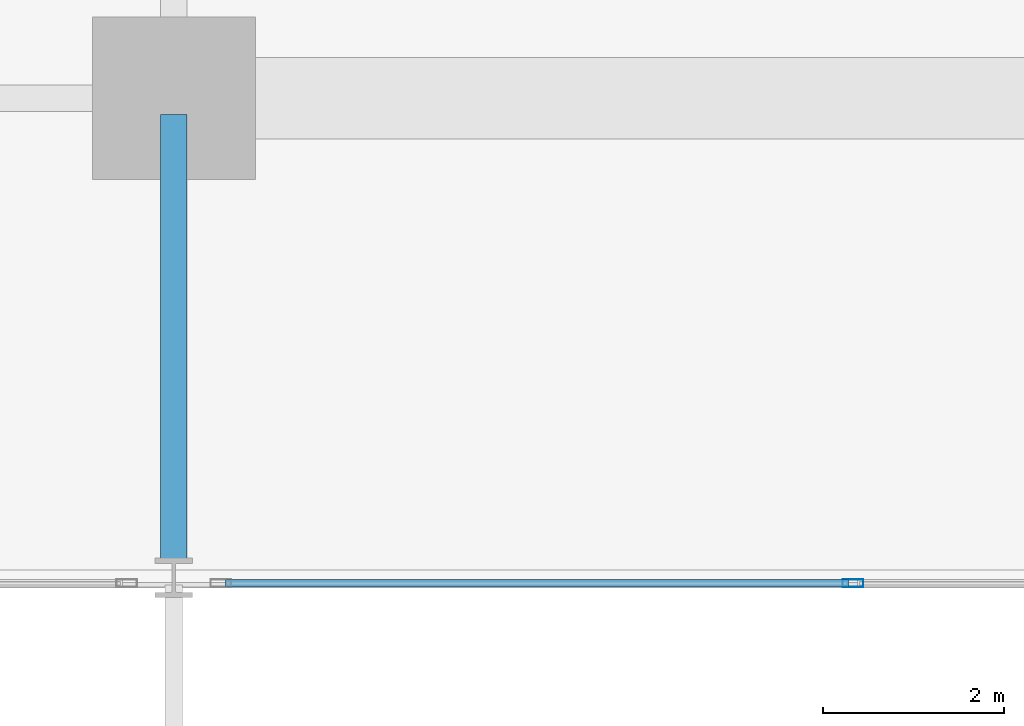
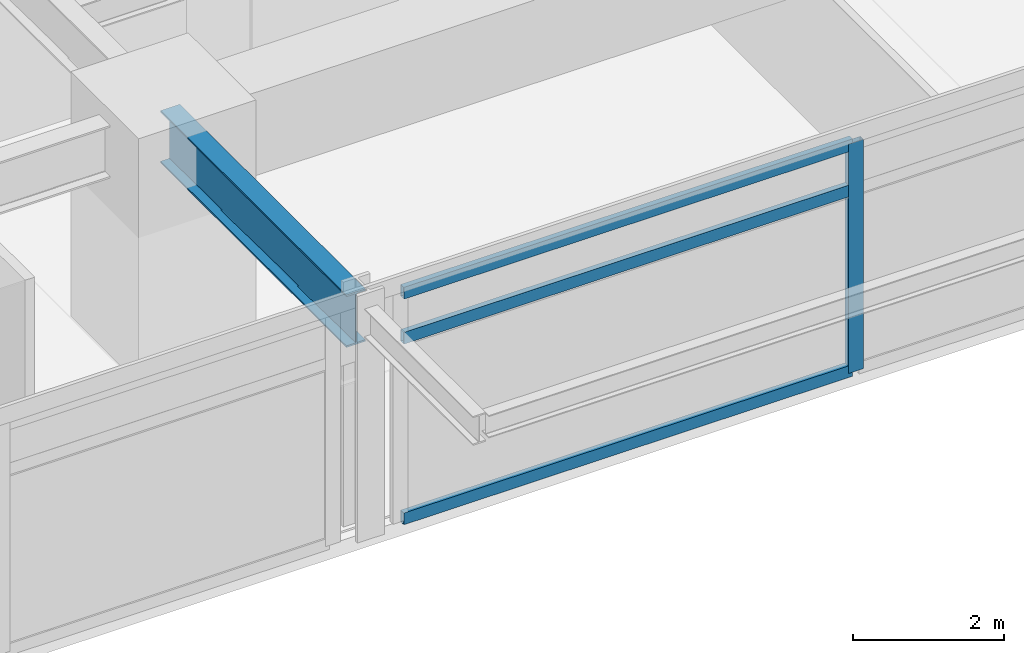
# One storey, part 4 of 21: 4 members, 1 beam, 1 element without a shape of its own.
"""IFC4 building model written with IfcOpenShell, lengths in metres."""

import ifcopenshell
import ifcopenshell.guid

model = None  # the IFC model being written
_history = None  # IfcOwnerHistory: only IFC2X3 demands one
_inside = {}  # id of a spatial element -> (the spatial element, [elements in it])
_under = {}  # id of a project, library or spatial element -> (it, [spatial elements below it])
_declared = {}  # id of a project -> (the project, [libraries it declares])
_typed = {}  # id of a type object -> (the type object, [elements of that type])
_made_of = {}  # id of a material, layer set ... -> (it, [elements and type objects made of it])


def new_model(schema):
    """Start an empty IFC model of exactly this schema.

    Asked for "IFC4X3", IfcOpenShell would pick the latest addendum, in which some entities
    have other attributes; the version numbers below select the first issue.
    IFC2X3 requires an IfcOwnerHistory on every rooted entity: one is made here for all.
    """
    global model, _history
    if schema == "IFC4X3":
        model = ifcopenshell.file(schema_version=(4, 3, 0, 0))
    else:
        model = ifcopenshell.file(schema=schema)
    _inside.clear()
    _under.clear()
    _declared.clear()
    _typed.clear()
    _made_of.clear()
    _history = None
    if model.schema == "IFC2X3":
        org = make("IfcOrganization", Name="unknown")
        user = make(
            "IfcPersonAndOrganization",
            ThePerson=make("IfcPerson", FamilyName="unknown"),
            TheOrganization=org,
        )
        app = make(
            "IfcApplication",
            ApplicationDeveloper=org,
            Version="unknown",
            ApplicationFullName="unknown",
            ApplicationIdentifier="unknown",
        )
        _history = make(
            "IfcOwnerHistory",
            OwningUser=user,
            OwningApplication=app,
            ChangeAction="ADDED",
            CreationDate=0,
        )
    return model


def make(cls, **values):
    """One entity of the class cls with the attributes given. An attribute that is None is left unset."""
    return model.create_entity(
        cls, **{name: value for name, value in values.items() if value is not None}
    )


def rooted(cls, **values):
    """An entity with a GlobalId (a new one), such as an element, a storey or a relation."""
    return make(cls, GlobalId=ifcopenshell.guid.new(), OwnerHistory=_history, **values)


def si_unit(unit_type, name, prefix=None):
    """IfcSIUnit, for example si_unit("LENGTHUNIT", "METRE", prefix="MILLI")."""
    return make("IfcSIUnit", UnitType=unit_type, Prefix=prefix, Name=name)


def assignment(units):
    """IfcUnitAssignment: the units of a project."""
    return None if units is None else make("IfcUnitAssignment", Units=units)


def point(xyz):
    """IfcCartesianPoint."""
    return None if xyz is None else make("IfcCartesianPoint", Coordinates=xyz)


def direction(xyz):
    """IfcDirection."""
    return None if xyz is None else make("IfcDirection", DirectionRatios=xyz)


def frame(location, z_axis=None, x_axis=None):
    """IfcAxis2Placement3D, a coordinate frame: its origin and axes. An axis left out is left unset."""
    return make(
        "IfcAxis2Placement3D",
        Location=point(location),
        Axis=direction(z_axis),
        RefDirection=direction(x_axis),
    )


def frame_2d(location, x_axis=None):
    """IfcAxis2Placement2D, a coordinate frame in the plane: its origin and x axis."""
    return make(
        "IfcAxis2Placement2D", Location=point(location), RefDirection=direction(x_axis)
    )


def origin():
    """The frame at (0, 0, 0) with its axes left unset."""
    return frame((0.0, 0.0, 0.0))


def origin_2d():
    """The frame at (0, 0) in the plane with its x axis left unset."""
    return frame_2d((0.0, 0.0))


def place(relative_to, where):
    """IfcLocalPlacement: puts the frame where relative to a parent placement (None: the world)."""
    return make(
        "IfcLocalPlacement", PlacementRelTo=relative_to, RelativePlacement=where
    )


def context(
    kind, dimensions, precision=None, world=None, true_north=None, identifier=None
):
    """IfcGeometricRepresentationContext, for example the 3D "Model" context."""
    return make(
        "IfcGeometricRepresentationContext",
        ContextIdentifier=identifier,
        ContextType=kind,
        CoordinateSpaceDimension=dimensions,
        Precision=precision,
        WorldCoordinateSystem=world,
        TrueNorth=true_north,
    )


def subcontext(parent, identifier, kind, view, scale=None):
    """IfcGeometricRepresentationSubContext, for example "Body" below "Model"."""
    return make(
        "IfcGeometricRepresentationSubContext",
        ContextIdentifier=identifier,
        ContextType=kind,
        ParentContext=parent,
        TargetScale=scale,
        TargetView=view,
    )


def project(units=None, contexts=None):
    """IfcProject with its units and contexts."""
    return rooted(
        "IfcProject",
        Name="project",
        RepresentationContexts=contexts,
        UnitsInContext=assignment(units),
    )


def spatial(cls, under=None, at=None, **own):
    """A site, building, storey or space (cls), placed at a placement, below another one or the project."""
    s = rooted(cls, ObjectPlacement=at, **own)
    if under is not None:
        _under.setdefault(under.id(), (under, []))[1].append(s)
    return s


def profile(cls, at=None, kind="AREA", **sizes):
    """A parametric profile (cls). Its sizes go by their IFC names, for example OverallWidth=200.0."""
    return make(cls, ProfileType=kind, Position=at, **sizes)


def hollow_rectangle(**sizes):
    """IfcRectangleHollowProfileDef."""
    return profile("IfcRectangleHollowProfileDef", **sizes)


def i_section(**sizes):
    """IfcIShapeProfileDef."""
    return profile("IfcIShapeProfileDef", **sizes)


def extrude(swept, where, along, depth):
    """IfcExtrudedAreaSolid: the profile swept, set in the frame where, extruded along a direction by depth."""
    return make(
        "IfcExtrudedAreaSolid",
        SweptArea=swept,
        Position=where,
        ExtrudedDirection=direction(along),
        Depth=depth,
    )


def shape(context_of_items, identifier, shape_type, items):
    """IfcShapeRepresentation: the items that make up one representation, for example the "Body"."""
    return make(
        "IfcShapeRepresentation",
        ContextOfItems=context_of_items,
        RepresentationIdentifier=identifier,
        RepresentationType=shape_type,
        Items=items,
    )


def material(Name=None, Category=None):
    """IfcMaterial."""
    return make("IfcMaterial", Name=Name, Category=Category)


def material_profile(
    of_material, cross_section, Name=None, Category=None, Priority=None
):
    """IfcMaterialProfile: a cross section and its material."""
    return make(
        "IfcMaterialProfile",
        Name=Name,
        Material=of_material,
        Profile=cross_section,
        Priority=Priority,
        Category=Category,
    )


def profile_set(profiles, Name=None, composite=None):
    """IfcMaterialProfileSet."""
    return make(
        "IfcMaterialProfileSet",
        Name=Name,
        MaterialProfiles=profiles,
        CompositeProfile=composite,
    )


def made_of(thing, what):
    """Note that an element or type object is made of a material, layer set ...; save() writes the relation."""
    if what is not None:
        _made_of.setdefault(what.id(), (what, []))[1].append(thing)
    return thing


def type_object(cls, material=None, **own):
    """A type object (cls), such as IfcWallType, which elements share."""
    return made_of(rooted(cls, **own), material)


def element(
    cls,
    number,
    at=None,
    inside=None,
    cuts=None,
    type_object=None,
    material=None,
    context=None,
    identifier="Body",
    shape_type=None,
    held_by="IfcProductDefinitionShape",
    body=None,
    shapes=None,
    **own,
):
    """One element of the class cls, such as IfcWall. Its Tag is "e" and its number.

    at: its placement. inside: the storey or other place that contains it. cuts: it is an
    opening in that element (IfcRelVoidsElement). A single representation is given by context,
    identifier, shape_type and body (its items); several are given by shapes. held_by: the class
    of the entity that holds the representations. save() writes the other relations.
    """
    e = rooted(cls, Tag="e%d" % number, ObjectPlacement=at, **own)
    if body is not None:
        shapes = [shape(context, identifier, shape_type, body)]
    if shapes is not None:
        e.Representation = make(held_by, Representations=shapes)
    if inside is not None:
        _inside.setdefault(inside.id(), (inside, []))[1].append(e)
    if cuts is not None:
        rooted(
            "IfcRelVoidsElement", RelatingBuildingElement=cuts, RelatedOpeningElement=e
        )
    if type_object is not None:
        _typed.setdefault(type_object.id(), (type_object, []))[1].append(e)
    return made_of(e, material)


def aggregate(whole, parts):
    """IfcRelAggregates: a whole, such as a stair, and the parts it consists of."""
    return rooted("IfcRelAggregates", RelatingObject=whole, RelatedObjects=parts)


def save(model, path):
    """Write the relations noted so far, then the file.

    IfcRelAggregates (storeys below a building ...), IfcRelContainedInSpatialStructure (elements
    in a storey), IfcRelDefinesByType, IfcRelAssociatesMaterial and IfcRelDeclares: one each for
    every whole, place, type object, material and project.
    """
    for whole, parts in _under.values():
        aggregate(whole, parts)
    for where, things in _inside.values():
        rooted(
            "IfcRelContainedInSpatialStructure",
            RelatedElements=things,
            RelatingStructure=where,
        )
    for kind, things in _typed.values():
        rooted("IfcRelDefinesByType", RelatedObjects=things, RelatingType=kind)
    for what, things in _made_of.values():
        rooted("IfcRelAssociatesMaterial", RelatedObjects=things, RelatingMaterial=what)
    for by, libraries in _declared.values():
        rooted("IfcRelDeclares", RelatingContext=by, RelatedDefinitions=libraries)
    model.write(path)


model = new_model("IFC4")

# Units and contexts
model_context = context("Model", 3, precision=1e-05, world=origin(), true_north=direction((0.0, 1.0)))
body_context = subcontext(model_context, "Body", "Model", "MODEL_VIEW")
ifc_project = project(units=[si_unit("LENGTHUNIT", "METRE"), si_unit("AREAUNIT", "SQUARE_METRE"), si_unit("VOLUMEUNIT", "CUBIC_METRE"), si_unit("PLANEANGLEUNIT", "RADIAN"), si_unit("MASSUNIT", "GRAM", prefix="KILO")], contexts=[model_context])

# Site, building, storey
site_placement = place(None, origin())
site = spatial("IfcSite", under=ifc_project, at=site_placement, CompositionType="ELEMENT")
building_placement = place(site_placement, origin())
building = spatial("IfcBuilding", under=site, at=building_placement, Name="Kovane Verandah Tower", CompositionType="ELEMENT")
storey_placement = place(building_placement, frame((0.0, 0.0, 47.60009765625)))
storey = spatial("IfcBuildingStorey", under=building, at=storey_placement, Name="L10", CompositionType="ELEMENT", Elevation=47.60009765625)

# Beam
ifc_material_1 = material(Name="Steel S355", Category="steel")
ifc_material_profile_1 = material_profile(ifc_material_1, i_section(OverallWidth=0.293701171875, OverallDepth=0.850830078125, WebThickness=0.01611328125, FlangeThickness=0.02685546875, FilletRadius=0.017822265625, at=origin_2d()), Name="UB838x292x226")
ifc_profile_set_1 = profile_set([ifc_material_profile_1], Name="Steel S355")
beam_type = type_object("IfcBeamType", Name="BM-UB838x226", PredefinedType="BEAM", material=ifc_profile_set_1)
beam_placement = place(storey_placement, frame((29.0, 10.6201171875, 3.33447265625), z_axis=(0.0, -1.0, 0.0), x_axis=(1.0, 0.0, 0.0)))
element("IfcBeam", 1, at=beam_placement, inside=storey, type_object=beam_type, Name="L10 Primary Tower Girder G-VS1", PredefinedType="BEAM", context=body_context, shape_type="SweptSolid", body=[
    extrude(i_section(OverallWidth=0.293701171875, OverallDepth=0.850830078125, WebThickness=0.01611328125, FlangeThickness=0.02685546875, FilletRadius=0.017822265625, at=origin_2d()), origin(), (0.0, 0.0, 1.0), 4.940185546875),
])

# Curtain wall, members
ifc_material_2 = material(Name="Champagne Anodised Aluminium Frame with Low-E Clear Laminated Glass", Category="aluminium")
curtain_wall_type = type_object("IfcCurtainWallType", Name="CW-SYS-02-LOW", PredefinedType="NOTDEFINED", material=ifc_material_2)
curtain_wall_placement = place(storey_placement, origin())
curtain_wall = element("IfcCurtainWall", 2, at=curtain_wall_placement, inside=storey, type_object=curtain_wall_type, Name="L10 S Unitised Curtain Wall-2", PredefinedType="NOTDEFINED")
ifc_material_3 = material(Name="Champagne Anodised Aluminium 6063-T6", Category="aluminium")
ifc_material_profile_2 = material_profile(ifc_material_3, hollow_rectangle(XDim=0.0849609375, YDim=0.22998046875, WallThickness=0.00390625, at=origin_2d()), Name="AL85x230x4")
ifc_profile_set_2 = profile_set([ifc_material_profile_2], Name="Champagne Anodised Aluminium 6063-T6")
member_type_1 = type_object("IfcMemberType", Name="CW-MUL-85x230", PredefinedType="MULLION", material=ifc_profile_set_2)
member_1_placement = place(storey_placement, frame((36.506591796875, 5.438720703125, 0.02001953125), z_axis=(0.0, 0.0, 1.0), x_axis=(0.0, -1.0, 0.0)))
member_1 = element("IfcMember", 3, at=member_1_placement, type_object=member_type_1, Name="L10 S Unitised Curtain Wall-2 Mullion 2", PredefinedType="MULLION", context=body_context, shape_type="SweptSolid", body=[
    extrude(hollow_rectangle(XDim=0.0849609375, YDim=0.22998046875, WallThickness=0.00390625, at=origin_2d()), origin(), (0.0, 0.0, 1.0), 3.719970703125),
])
ifc_material_profile_3 = material_profile(ifc_material_3, hollow_rectangle(XDim=0.0849609375, YDim=0.18994140625, WallThickness=0.00390625, at=origin_2d()), Name="AL85x190x4")
ifc_profile_set_3 = profile_set([ifc_material_profile_3], Name="Champagne Anodised Aluminium 6063-T6")
member_type_2 = type_object("IfcMemberType", Name="CW-TRN-85x190", PredefinedType="USERDEFINED", material=ifc_profile_set_3)
member_2_placement = place(storey_placement, frame((29.570068359375, 5.438720703125, 0.0498046875), z_axis=(1.0, 0.0, 0.0), x_axis=(0.0, 1.0, 0.0)))
member_2 = element("IfcMember", 4, at=member_2_placement, type_object=member_type_2, Name="L10 S Unitised Curtain Wall-2 Transom TB Bay 1", ObjectType="TRANSOM", PredefinedType="USERDEFINED", context=body_context, shape_type="SweptSolid", body=[
    extrude(hollow_rectangle(XDim=0.0849609375, YDim=0.18994140625, WallThickness=0.00390625, at=origin_2d()), origin(), (0.0, 0.0, 1.0), 6.88671875),
])
member_3_placement = place(storey_placement, frame((29.570068359375, 5.438720703125, 2.97998046875), z_axis=(1.0, 0.0, 0.0), x_axis=(0.0, 1.0, 0.0)))
member_3 = element("IfcMember", 5, at=member_3_placement, type_object=member_type_2, Name="L10 S Unitised Curtain Wall-2 Transom TM Bay 1", ObjectType="TRANSOM", PredefinedType="USERDEFINED", context=body_context, shape_type="SweptSolid", body=[
    extrude(hollow_rectangle(XDim=0.0849609375, YDim=0.18994140625, WallThickness=0.00390625, at=origin_2d()), origin(), (0.0, 0.0, 1.0), 6.88671875),
])
member_4_placement = place(storey_placement, frame((29.570068359375, 5.438720703125, 3.7099609375), z_axis=(1.0, 0.0, 0.0), x_axis=(0.0, 1.0, 0.0)))
member_4 = element("IfcMember", 6, at=member_4_placement, type_object=member_type_2, Name="L10 S Unitised Curtain Wall-2 Transom TT Bay 1", ObjectType="TRANSOM", PredefinedType="USERDEFINED", context=body_context, shape_type="SweptSolid", body=[
    extrude(hollow_rectangle(XDim=0.0849609375, YDim=0.18994140625, WallThickness=0.00390625, at=origin_2d()), origin(), (0.0, 0.0, 1.0), 6.88671875),
])
aggregate(curtain_wall, [member_1, member_2, member_3, member_4])

save(model, "model.ifc")
